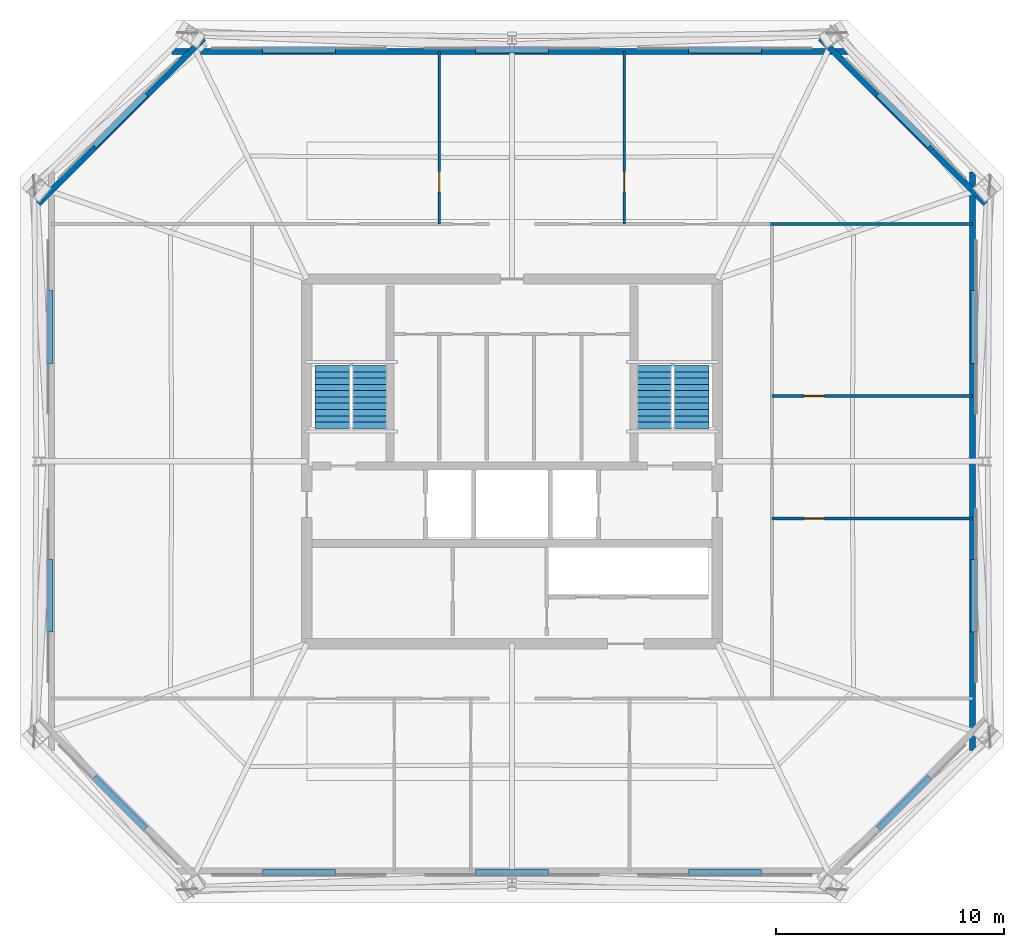
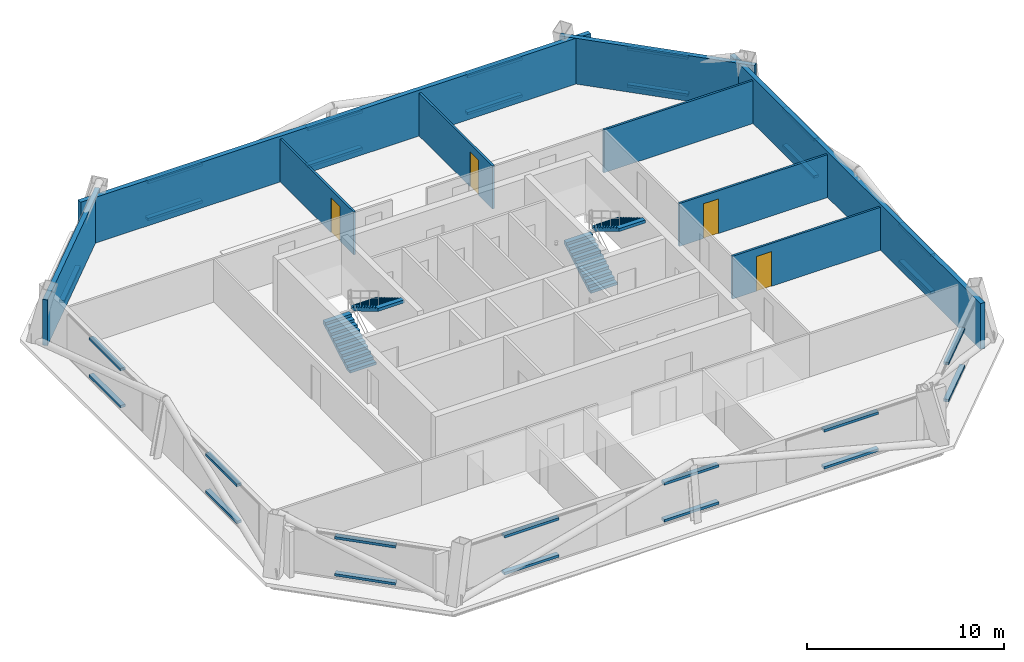
# One storey, part 4 of 6: 28 discrete accessories, 9 walls, 4 doors, 4 stair flights, 4 openings, 2 elements without a shape of their own.
"""IFC4 building model written with IfcOpenShell, lengths in metres."""

from ifc_helpers import new_model, si_unit, direction, frame, frame_2d, origin, origin_2d, place, context, subcontext, project, spatial, polyline, rectangle, outline, extrude, material, layer, layer_set, type_object, element, fill, aggregate, save


model = new_model("IFC4")

# Units and contexts
model_context = context("Model", 3, precision=1e-05, world=origin(), true_north=direction((0.0, 1.0)))
body_context = subcontext(model_context, "Body", "Model", "MODEL_VIEW")
ifc_project = project(units=[si_unit("LENGTHUNIT", "METRE"), si_unit("AREAUNIT", "SQUARE_METRE"), si_unit("VOLUMEUNIT", "CUBIC_METRE"), si_unit("PLANEANGLEUNIT", "RADIAN"), si_unit("MASSUNIT", "GRAM", prefix="KILO")], contexts=[model_context])

# Site, building, storey
site_placement = place(None, origin())
site = spatial("IfcSite", under=ifc_project, at=site_placement, CompositionType="ELEMENT")
building_placement = place(site_placement, origin())
building = spatial("IfcBuilding", under=site, at=building_placement, Name="Caelvoria Tower", CompositionType="ELEMENT")
storey_placement = place(building_placement, frame((0.0, 0.0, 216.60009765625)))
storey = spatial("IfcBuildingStorey", under=building, at=storey_placement, Name="L57", CompositionType="ELEMENT", Elevation=216.60009765625)

# Wall, opening, door
ifc_material_1 = material(Name="Acoustic Gypsum Board on Light-Gauge Stud", Category="gypsum")
ifc_layer_1 = layer(ifc_material_1, 0.1201171875, Name="Acoustic Gypsum Board on Light-Gauge Stud")
ifc_layer_set_1 = layer_set([ifc_layer_1], Name="Tenant Suite Acoustic Partition Wall 120 - Acoustic Gypsum Board on Light-Gauge Stud")
wall_type_1 = type_object("IfcWallType", Name="Tenant Suite Acoustic Partition Wall 120", PredefinedType="PARTITIONING", material=ifc_layer_set_1)
wall_1_placement = place(storey_placement, frame((42.807373046875, 42.409912109375, 0.0), z_axis=(0.0, 0.0, 1.0), x_axis=(0.0, 1.0, 0.0)))
wall_1 = element("IfcWall", 1, at=wall_1_placement, inside=storey, type_object=wall_type_1, Name="Interior Partition IW-L57-ND-00-0", PredefinedType="PARTITIONING", context=body_context, shape_type="SweptSolid", body=[
    extrude(rectangle(XDim=7.57373046875, YDim=0.1201171875, at=frame_2d((3.786865234375, 0.0))), origin(), (0.0, 0.0, 1.0), 2.65478515625),
])
opening_1_placement = place(wall_1_placement, frame((1.39990234375, 0.0, 0.0)))
opening_1 = element("IfcOpeningElement", 2, at=opening_1_placement, cuts=wall_1, Name="Opening ID-06", PredefinedType="OPENING", context=body_context, shape_type="SweptSolid", body=[
    extrude(rectangle(XDim=0.89990234375, YDim=2.14990234375, at=frame_2d((0.449951171875, 1.074951171875))), frame((0.0, 0.070068359375, 0.0), z_axis=(0.0, -1.0, 0.0), x_axis=(1.0, 0.0, 0.0)), (0.0, 0.0, 1.0), 0.14013671875),
])
ifc_material_2 = material(Name="Engineered Andean Oak Veneer Door", Category="wood")
door_type = type_object("IfcDoorType", Name="Interior Timber Door 900x2150", OperationType="NOTDEFINED", PredefinedType="DOOR", material=ifc_material_2)
door_1_placement = place(opening_1_placement, origin())
door_1 = element("IfcDoor", 3, at=door_1_placement, inside=storey, type_object=door_type, Name="Interior Door DR-L57-NM-00-0", OperationType="SINGLE_SWING_RIGHT", OverallHeight=2.14990234375, OverallWidth=0.89990234375, PredefinedType="DOOR", context=body_context, shape_type="SweptSolid", body=[
    extrude(rectangle(XDim=0.89990234375, YDim=2.14990234375, at=frame_2d((0.449951171875, 1.074951171875))), frame((0.0, 0.02490234375, 0.0), z_axis=(0.0, -1.0, 0.0), x_axis=(1.0, 0.0, 0.0)), (0.0, 0.0, 1.0), 0.050048828125),
])
fill(opening_1, door_1)

wall_2_placement = place(storey_placement, frame((50.930419921875, 42.409912109375, 0.0), z_axis=(0.0, 0.0, 1.0), x_axis=(0.0, 1.0, 0.0)))
wall_2 = element("IfcWall", 4, at=wall_2_placement, inside=storey, type_object=wall_type_1, Name="Interior Partition IW-L57-ND-01-0", PredefinedType="PARTITIONING", context=body_context, shape_type="SweptSolid", body=[
    extrude(rectangle(XDim=7.57373046875, YDim=0.1201171875, at=frame_2d((3.786865234375, 0.0))), origin(), (0.0, 0.0, 1.0), 2.65478515625),
])
opening_2_placement = place(wall_2_placement, frame((1.39990234375, 0.0, 0.0)))
opening_2 = element("IfcOpeningElement", 5, at=opening_2_placement, cuts=wall_2, Name="Opening ID-06", PredefinedType="OPENING", context=body_context, shape_type="SweptSolid", body=[
    extrude(rectangle(XDim=0.89990234375, YDim=2.14990234375, at=frame_2d((0.449951171875, 1.074951171875))), frame((0.0, 0.070068359375, 0.0), z_axis=(0.0, -1.0, 0.0), x_axis=(1.0, 0.0, 0.0)), (0.0, 0.0, 1.0), 0.14013671875),
])
door_2_placement = place(opening_2_placement, origin())
door_2 = element("IfcDoor", 6, at=door_2_placement, inside=storey, type_object=door_type, Name="Interior Door DR-L57-NM-01-0", OperationType="SINGLE_SWING_LEFT", OverallHeight=2.14990234375, OverallWidth=0.89990234375, PredefinedType="DOOR", context=body_context, shape_type="SweptSolid", body=[
    extrude(rectangle(XDim=0.89990234375, YDim=2.14990234375, at=frame_2d((0.449951171875, 1.074951171875))), frame((0.0, 0.02490234375, 0.0), z_axis=(0.0, -1.0, 0.0), x_axis=(1.0, 0.0, 0.0)), (0.0, 0.0, 1.0), 0.050048828125),
])
fill(opening_2, door_2)

wall_3_placement = place(storey_placement, frame((57.409912109375, 29.49169921875, 0.0), z_axis=(0.0, 0.0, 1.0), x_axis=(1.0, 0.0, 0.0)))
wall_3 = element("IfcWall", 7, at=wall_3_placement, inside=storey, type_object=wall_type_1, Name="Interior Partition IW-L57-ED-00-0", PredefinedType="PARTITIONING", context=body_context, shape_type="SweptSolid", body=[
    extrude(rectangle(XDim=8.79638671875, YDim=0.1201171875, at=frame_2d((4.398193359375, 0.0))), origin(), (0.0, 0.0, 1.0), 2.65478515625),
])
opening_3_placement = place(wall_3_placement, frame((1.39990234375, 0.0, 0.0)))
opening_3 = element("IfcOpeningElement", 8, at=opening_3_placement, cuts=wall_3, Name="Opening ID-06", PredefinedType="OPENING", context=body_context, shape_type="SweptSolid", body=[
    extrude(rectangle(XDim=0.89990234375, YDim=2.14990234375, at=frame_2d((0.449951171875, 1.074951171875))), frame((0.0, 0.070068359375, 0.0), z_axis=(0.0, -1.0, 0.0), x_axis=(1.0, 0.0, 0.0)), (0.0, 0.0, 1.0), 0.14013671875),
])
door_3_placement = place(opening_3_placement, origin())
door_3 = element("IfcDoor", 9, at=door_3_placement, inside=storey, type_object=door_type, Name="Interior Door DR-L57-EM-00-0", OperationType="SINGLE_SWING_RIGHT", OverallHeight=2.14990234375, OverallWidth=0.89990234375, PredefinedType="DOOR", context=body_context, shape_type="SweptSolid", body=[
    extrude(rectangle(XDim=0.89990234375, YDim=2.14990234375, at=frame_2d((0.449951171875, 1.074951171875))), frame((0.0, 0.02490234375, 0.0), z_axis=(0.0, -1.0, 0.0), x_axis=(1.0, 0.0, 0.0)), (0.0, 0.0, 1.0), 0.050048828125),
])
fill(opening_3, door_3)

wall_4_placement = place(storey_placement, frame((57.409912109375, 34.8671875, 0.0), z_axis=(0.0, 0.0, 1.0), x_axis=(1.0, 0.0, 0.0)))
wall_4 = element("IfcWall", 10, at=wall_4_placement, inside=storey, type_object=wall_type_1, Name="Interior Partition IW-L57-ED-01-0", PredefinedType="PARTITIONING", context=body_context, shape_type="SweptSolid", body=[
    extrude(rectangle(XDim=8.79638671875, YDim=0.1201171875, at=frame_2d((4.398193359375, 0.0))), origin(), (0.0, 0.0, 1.0), 2.65478515625),
])
opening_4_placement = place(wall_4_placement, frame((1.39990234375, 0.0, 0.0)))
opening_4 = element("IfcOpeningElement", 11, at=opening_4_placement, cuts=wall_4, Name="Opening ID-06", PredefinedType="OPENING", context=body_context, shape_type="SweptSolid", body=[
    extrude(rectangle(XDim=0.89990234375, YDim=2.14990234375, at=frame_2d((0.449951171875, 1.074951171875))), frame((0.0, 0.070068359375, 0.0), z_axis=(0.0, -1.0, 0.0), x_axis=(1.0, 0.0, 0.0)), (0.0, 0.0, 1.0), 0.14013671875),
])
door_4_placement = place(opening_4_placement, origin())
door_4 = element("IfcDoor", 12, at=door_4_placement, inside=storey, type_object=door_type, Name="Interior Door DR-L57-EM-01-0", OperationType="SINGLE_SWING_LEFT", OverallHeight=2.14990234375, OverallWidth=0.89990234375, PredefinedType="DOOR", context=body_context, shape_type="SweptSolid", body=[
    extrude(rectangle(XDim=0.89990234375, YDim=2.14990234375, at=frame_2d((0.449951171875, 1.074951171875))), frame((0.0, 0.02490234375, 0.0), z_axis=(0.0, -1.0, 0.0), x_axis=(1.0, 0.0, 0.0)), (0.0, 0.0, 1.0), 0.050048828125),
])
fill(opening_4, door_4)

# Walls
wall_5_placement = place(storey_placement, frame((57.35009765625, 42.409912109375, 0.0), z_axis=(0.0, 0.0, 1.0), x_axis=(1.0, 0.0, 0.0)))
element("IfcWall", 13, at=wall_5_placement, inside=storey, type_object=wall_type_1, Name="Interior Partition IW-L57-BNE-0", PredefinedType="PARTITIONING", context=body_context, shape_type="SweptSolid", body=[
    extrude(rectangle(XDim=8.856201171875, YDim=0.1201171875, at=frame_2d((4.42822265625, 0.0))), origin(), (0.0, 0.0, 1.0), 2.65478515625),
])
ifc_material_3 = material(Name="Precast Concrete C40/50 with Bronze Cladding", Category="concrete")
ifc_layer_2 = layer(ifc_material_3, 0.264892578125, Name="Precast Concrete C40/50 with Bronze Cladding")
ifc_layer_set_2 = layer_set([ifc_layer_2], Name="Upper Taper Precast Concrete C40/50 Bronze Facade Wall 265 - Precast Concrete C40/50 with Bronze Cladding")
wall_type_2 = type_object("IfcWallType", Name="Upper Taper Precast Concrete C40/50 Bronze Facade Wall 265", PredefinedType="STANDARD", material=ifc_layer_set_2)
wall_6_placement = place(storey_placement, frame((66.206298828125, 19.305419921875, 0.0), z_axis=(0.0, 0.0, 1.0), x_axis=(0.0, 1.0, 0.0)))
element("IfcWall", 14, at=wall_6_placement, inside=storey, type_object=wall_type_2, Name="Exterior Facade Wall L57-E2", PredefinedType="STANDARD", context=body_context, shape_type="SweptSolid", body=[
    extrude(rectangle(XDim=25.38916015625, YDim=0.264892578125, at=frame_2d((12.694580078125, 0.0))), origin(), (0.0, 0.0, 1.0), 2.831787109375),
])
wall_7_placement = place(storey_placement, frame((66.7802734375, 43.30908203125, 0.0), z_axis=(0.0, 0.0, 1.0), x_axis=(-0.707106781187, 0.707106781187, 0.0)))
element("IfcWall", 15, at=wall_7_placement, inside=storey, type_object=wall_type_2, Name="Exterior Facade Wall L57-E3", PredefinedType="STANDARD", context=body_context, shape_type="SweptSolid", body=[
    extrude(rectangle(XDim=10.2509765625, YDim=0.264892578125, at=frame_2d((5.12548828125, 0.0))), origin(), (0.0, 0.0, 1.0), 2.831787109375),
])
wall_8_placement = place(storey_placement, frame((60.917236328125, 49.983642578125, 0.0), z_axis=(0.0, 0.0, 1.0), x_axis=(-1.0, 0.0, 0.0)))
element("IfcWall", 16, at=wall_8_placement, inside=storey, type_object=wall_type_2, Name="Exterior Facade Wall L57-E4", PredefinedType="STANDARD", context=body_context, shape_type="SweptSolid", body=[
    extrude(rectangle(XDim=29.83447265625, YDim=0.264892578125, at=frame_2d((14.917236328125, 0.0))), origin(), (0.0, 0.0, 1.0), 2.831787109375),
])
wall_9_placement = place(storey_placement, frame((32.46826171875, 50.5576171875, 0.0), z_axis=(0.0, 0.0, 1.0), x_axis=(-0.707106781187, -0.707106781187, 0.0)))
element("IfcWall", 17, at=wall_9_placement, inside=storey, type_object=wall_type_2, Name="Exterior Facade Wall L57-E5", PredefinedType="STANDARD", context=body_context, shape_type="SweptSolid", body=[
    extrude(rectangle(XDim=10.2509765625, YDim=0.264892578125, at=frame_2d((5.12548828125, 0.0))), origin(), (0.0, 0.0, 1.0), 2.831787109375),
])

# Stair, stair flights
ifc_material_4 = material(Name="Concrete C40/50", Category="concrete")
stair_type = type_object("IfcStairType", Name="Core Smokeproof Dogleg Stair Concrete C40/50", PredefinedType="HALF_TURN_STAIR", material=ifc_material_4)
stair_1_placement = place(storey_placement, origin())
stair_1 = element("IfcStair", 18, at=stair_1_placement, inside=storey, type_object=stair_type, Name="ST-01 Smokeproof Exit Stair L57", PredefinedType="HALF_TURN_STAIR")
ifc_material_5 = material(Name="Precast Concrete C40/50", Category="concrete")
stair_flight_type = type_object("IfcStairFlightType", Name="Precast Concrete C40/50 Stair Flight 1480", PredefinedType="STRAIGHT", material=ifc_material_5)
stair_flight_1_placement = place(storey_placement, frame((38.1298828125, 33.449951171875, 0.0), z_axis=(0.0, 0.0, 1.0), x_axis=(0.0, 1.0, 0.0)))
stair_flight_1 = element("IfcStairFlight", 19, at=stair_flight_1_placement, type_object=stair_flight_type, Name="ST-01 flight 1", NumberOfRisers=11, NumberOfTreads=10, PredefinedType="STRAIGHT", RiserHeight=0.1636, TreadLength=0.275, context=body_context, shape_type="SweptSolid", body=[
    extrude(outline(polyline([(0.0, 0.0), (0.0, 0.16357421875), (0.27490234375, 0.16357421875), (0.27490234375, 0.3271484375), (0.550048828125, 0.3271484375), (0.550048828125, 0.49072265625), (0.824951171875, 0.49072265625), (0.824951171875, 0.654296875), (1.10009765625, 0.654296875), (1.10009765625, 0.818115234375), (1.375, 0.818115234375), (1.375, 0.981689453125), (1.64990234375, 0.981689453125), (1.64990234375, 1.145263671875), (1.925048828125, 1.145263671875), (1.925048828125, 1.308837890625), (2.199951171875, 1.308837890625), (2.199951171875, 1.472412109375), (2.47509765625, 1.472412109375), (2.47509765625, 1.635986328125), (2.75, 1.635986328125), (2.75, 1.799560546875), (2.75, 1.449951171875), (0.312744140625, 0.0), (0.0, 0.0)])), frame((0.0, 0.77001953125, 0.0), z_axis=(0.0, -1.0, 0.0), x_axis=(1.0, 0.0, 0.0)), (0.0, 0.0, 1.0), 1.5400390625),
])
stair_flight_2_placement = place(storey_placement, frame((39.77001953125, 36.199951171875, 1.7998046875), z_axis=(0.0, 0.0, 1.0), x_axis=(0.0, -1.0, 0.0)))
stair_flight_2 = element("IfcStairFlight", 20, at=stair_flight_2_placement, type_object=stair_flight_type, Name="ST-01 flight 2", NumberOfRisers=11, NumberOfTreads=10, PredefinedType="STRAIGHT", RiserHeight=0.1636, TreadLength=0.275, context=body_context, shape_type="SweptSolid", body=[
    extrude(outline(polyline([(0.0, 0.0), (0.0, 0.16357421875), (0.27490234375, 0.16357421875), (0.27490234375, 0.3271484375), (0.550048828125, 0.3271484375), (0.550048828125, 0.49072265625), (0.824951171875, 0.49072265625), (0.824951171875, 0.654296875), (1.10009765625, 0.654296875), (1.10009765625, 0.818115234375), (1.375, 0.818115234375), (1.375, 0.981689453125), (1.64990234375, 0.981689453125), (1.64990234375, 1.145263671875), (1.925048828125, 1.145263671875), (1.925048828125, 1.308837890625), (2.199951171875, 1.308837890625), (2.199951171875, 1.472412109375), (2.47509765625, 1.472412109375), (2.47509765625, 1.635986328125), (2.75, 1.635986328125), (2.75, 1.799560546875), (2.75, 1.449951171875), (0.312744140625, 0.0), (0.0, 0.0)])), frame((0.0, 0.77001953125, 0.0), z_axis=(0.0, -1.0, 0.0), x_axis=(1.0, 0.0, 0.0)), (0.0, 0.0, 1.0), 1.5400390625),
])
aggregate(stair_1, [stair_flight_1, stair_flight_2])

stair_2_placement = place(storey_placement, origin())
stair_2 = element("IfcStair", 21, at=stair_2_placement, inside=storey, type_object=stair_type, Name="ST-02 Smokeproof Exit Stair L57", PredefinedType="HALF_TURN_STAIR")
stair_flight_3_placement = place(storey_placement, frame((52.22998046875, 33.449951171875, 0.0), z_axis=(0.0, 0.0, 1.0), x_axis=(0.0, 1.0, 0.0)))
stair_flight_3 = element("IfcStairFlight", 22, at=stair_flight_3_placement, type_object=stair_flight_type, Name="ST-02 flight 1", NumberOfRisers=11, NumberOfTreads=10, PredefinedType="STRAIGHT", RiserHeight=0.1636, TreadLength=0.275, context=body_context, shape_type="SweptSolid", body=[
    extrude(outline(polyline([(0.0, 0.0), (0.0, 0.16357421875), (0.27490234375, 0.16357421875), (0.27490234375, 0.3271484375), (0.550048828125, 0.3271484375), (0.550048828125, 0.49072265625), (0.824951171875, 0.49072265625), (0.824951171875, 0.654296875), (1.10009765625, 0.654296875), (1.10009765625, 0.818115234375), (1.375, 0.818115234375), (1.375, 0.981689453125), (1.64990234375, 0.981689453125), (1.64990234375, 1.145263671875), (1.925048828125, 1.145263671875), (1.925048828125, 1.308837890625), (2.199951171875, 1.308837890625), (2.199951171875, 1.472412109375), (2.47509765625, 1.472412109375), (2.47509765625, 1.635986328125), (2.75, 1.635986328125), (2.75, 1.799560546875), (2.75, 1.449951171875), (0.312744140625, 0.0), (0.0, 0.0)])), frame((0.0, 0.77001953125, 0.0), z_axis=(0.0, -1.0, 0.0), x_axis=(1.0, 0.0, 0.0)), (0.0, 0.0, 1.0), 1.5400390625),
])
stair_flight_4_placement = place(storey_placement, frame((53.8701171875, 36.199951171875, 1.7998046875), z_axis=(0.0, 0.0, 1.0), x_axis=(0.0, -1.0, 0.0)))
stair_flight_4 = element("IfcStairFlight", 23, at=stair_flight_4_placement, type_object=stair_flight_type, Name="ST-02 flight 2", NumberOfRisers=11, NumberOfTreads=10, PredefinedType="STRAIGHT", RiserHeight=0.1636, TreadLength=0.275, context=body_context, shape_type="SweptSolid", body=[
    extrude(outline(polyline([(0.0, 0.0), (0.0, 0.16357421875), (0.27490234375, 0.16357421875), (0.27490234375, 0.3271484375), (0.550048828125, 0.3271484375), (0.550048828125, 0.49072265625), (0.824951171875, 0.49072265625), (0.824951171875, 0.654296875), (1.10009765625, 0.654296875), (1.10009765625, 0.818115234375), (1.375, 0.818115234375), (1.375, 0.981689453125), (1.64990234375, 0.981689453125), (1.64990234375, 1.145263671875), (1.925048828125, 1.145263671875), (1.925048828125, 1.308837890625), (2.199951171875, 1.308837890625), (2.199951171875, 1.472412109375), (2.47509765625, 1.472412109375), (2.47509765625, 1.635986328125), (2.75, 1.635986328125), (2.75, 1.799560546875), (2.75, 1.449951171875), (0.312744140625, 0.0), (0.0, 0.0)])), frame((0.0, 0.77001953125, 0.0), z_axis=(0.0, -1.0, 0.0), x_axis=(1.0, 0.0, 0.0)), (0.0, 0.0, 1.0), 1.5400390625),
])
aggregate(stair_2, [stair_flight_3, stair_flight_4])

# Discrete accessories
ifc_material_6 = material(Name="Anodised Bronze Stainless Bracket", Category="bronze")
discrete_accessory_type = type_object("IfcDiscreteAccessoryType", Name="Solar Screen Outrigger Support Bracket", PredefinedType="BRACKET", material=ifc_material_6)
for number, where, z_axis, x_axis, name in (
    (24, (36.655029296875, 13.943603515625, 0.23974609375), (0.0, 0.0, 1.0), (1.0, 0.0, 0.0), "Solar Screen Bracket L57-E0-00"),
    (25, (36.655029296875, 13.943603515625, 2.53173828125), (0.0, 0.0, 1.0), (1.0, 0.0, 0.0), "Upper Screen Band Bracket L57-E0-00"),
    (26, (46.0, 13.943603515625, 0.23974609375), (0.0, 0.0, 1.0), (1.0, 0.0, 0.0), "Solar Screen Bracket L57-E0-01"),
    (27, (46.0, 13.943603515625, 2.53173828125), (0.0, 0.0, 1.0), (1.0, 0.0, 0.0), "Upper Screen Band Bracket L57-E0-01"),
    (28, (55.344970703125, 13.943603515625, 0.23974609375), (0.0, 0.0, 1.0), (1.0, 0.0, 0.0), "Solar Screen Bracket L57-E0-02"),
    (29, (55.344970703125, 13.943603515625, 2.53173828125), (0.0, 0.0, 1.0), (1.0, 0.0, 0.0), "Upper Screen Band Bracket L57-E0-02"),
    (30, (63.20751953125, 17.01513671875, 0.23974609375), (0.0, 0.0, 1.0), (0.707106781187, 0.707106781187, 0.0), "Solar Screen Bracket L57-E1-00"),
    (31, (63.20751953125, 17.01513671875, 2.53173828125), (0.0, 0.0, 1.0), (0.707106781187, 0.707106781187, 0.0), "Upper Screen Band Bracket L57-E1-00"),
    (32, (66.279296875, 26.102783203125, 0.23974609375), (0.0, 0.0, 1.0), (0.0, 1.0, 0.0), "Solar Screen Bracket L57-E2-00"),
    (33, (66.279296875, 26.102783203125, 2.53173828125), (0.0, 0.0, 1.0), (0.0, 1.0, 0.0), "Upper Screen Band Bracket L57-E2-00"),
    (34, (66.279296875, 37.897216796875, 0.23974609375), (0.0, 0.0, 1.0), (0.0, 1.0, 0.0), "Solar Screen Bracket L57-E2-01"),
    (35, (66.279296875, 37.897216796875, 2.53173828125), (0.0, 0.0, 1.0), (0.0, 1.0, 0.0), "Upper Screen Band Bracket L57-E2-01"),
    (36, (63.20751953125, 46.98486328125, 0.23974609375), (0.0, 0.0, 1.0), (-0.707106781187, 0.707106781187, 0.0), "Solar Screen Bracket L57-E3-00"),
    (37, (63.20751953125, 46.98486328125, 2.53173828125), (0.0, 0.0, 1.0), (-0.707106781187, 0.707106781187, 0.0), "Upper Screen Band Bracket L57-E3-00"),
    (38, (55.344970703125, 50.056396484375, 0.23974609375), (0.0, 0.0, 1.0), (-1.0, 0.0, 0.0), "Solar Screen Bracket L57-E4-00"),
    (39, (55.344970703125, 50.056396484375, 2.53173828125), (0.0, 0.0, 1.0), (-1.0, 0.0, 0.0), "Upper Screen Band Bracket L57-E4-00"),
    (40, (46.0, 50.056396484375, 0.23974609375), (0.0, 0.0, 1.0), (-1.0, 0.0, 0.0), "Solar Screen Bracket L57-E4-01"),
    (41, (46.0, 50.056396484375, 2.53173828125), (0.0, 0.0, 1.0), (-1.0, 0.0, 0.0), "Upper Screen Band Bracket L57-E4-01"),
    (42, (36.655029296875, 50.056396484375, 0.23974609375), (0.0, 0.0, 1.0), (-1.0, 0.0, 0.0), "Solar Screen Bracket L57-E4-02"),
    (43, (36.655029296875, 50.056396484375, 2.53173828125), (0.0, 0.0, 1.0), (-1.0, 0.0, 0.0), "Upper Screen Band Bracket L57-E4-02"),
    (44, (28.79248046875, 46.98486328125, 0.23974609375), (0.0, 0.0, 1.0), (-0.707106781187, -0.707106781187, 0.0), "Solar Screen Bracket L57-E5-00"),
    (45, (28.79248046875, 46.98486328125, 2.53173828125), (0.0, 0.0, 1.0), (-0.707106781187, -0.707106781187, 0.0), "Upper Screen Band Bracket L57-E5-00"),
    (46, (25.720703125, 37.897216796875, 0.23974609375), (0.0, 0.0, 1.0), (0.0, -1.0, 0.0), "Solar Screen Bracket L57-E6-00"),
    (47, (25.720703125, 37.897216796875, 2.53173828125), (0.0, 0.0, 1.0), (0.0, -1.0, 0.0), "Upper Screen Band Bracket L57-E6-00"),
    (48, (25.720703125, 26.102783203125, 0.23974609375), (0.0, 0.0, 1.0), (0.0, -1.0, 0.0), "Solar Screen Bracket L57-E6-01"),
    (49, (25.720703125, 26.102783203125, 2.53173828125), (0.0, 0.0, 1.0), (0.0, -1.0, 0.0), "Upper Screen Band Bracket L57-E6-01"),
    (50, (28.79248046875, 17.01513671875, 0.23974609375), (0.0, 0.0, 1.0), (0.707106781187, -0.707106781187, 0.0), "Solar Screen Bracket L57-E7-00"),
    (51, (28.79248046875, 17.01513671875, 2.53173828125), (0.0, 0.0, 1.0), (0.707106781187, -0.707106781187, 0.0), "Upper Screen Band Bracket L57-E7-00"),
):
    element("IfcDiscreteAccessory", number, at=place(storey_placement, frame(where, z_axis=z_axis, x_axis=x_axis)), inside=storey, type_object=discrete_accessory_type, Name=name, PredefinedType="BRACKET", context=body_context, shape_type="SweptSolid", body=[
        extrude(rectangle(XDim=3.199951171875, YDim=0.280029296875, at=origin_2d()), origin(), (0.0, 0.0, 1.0), 0.159912109375),
    ])

save(model, "model.ifc")
